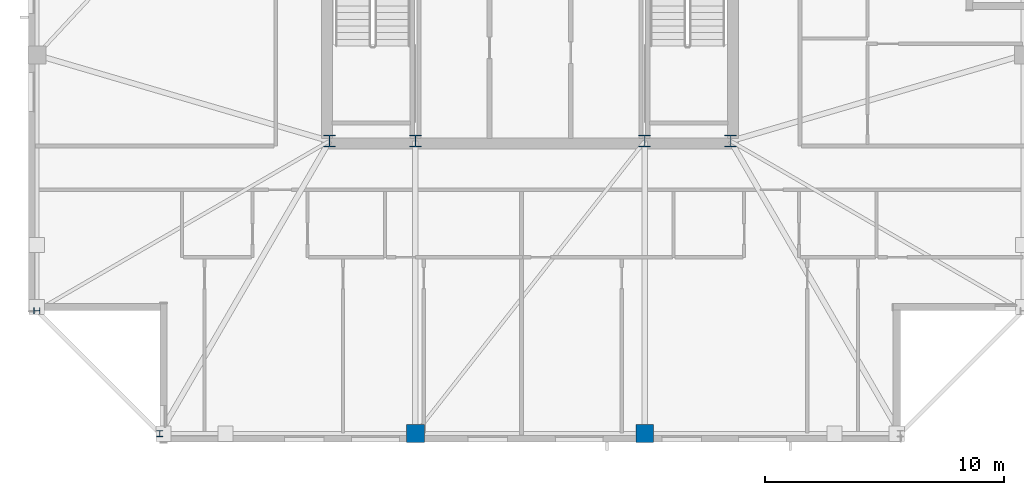
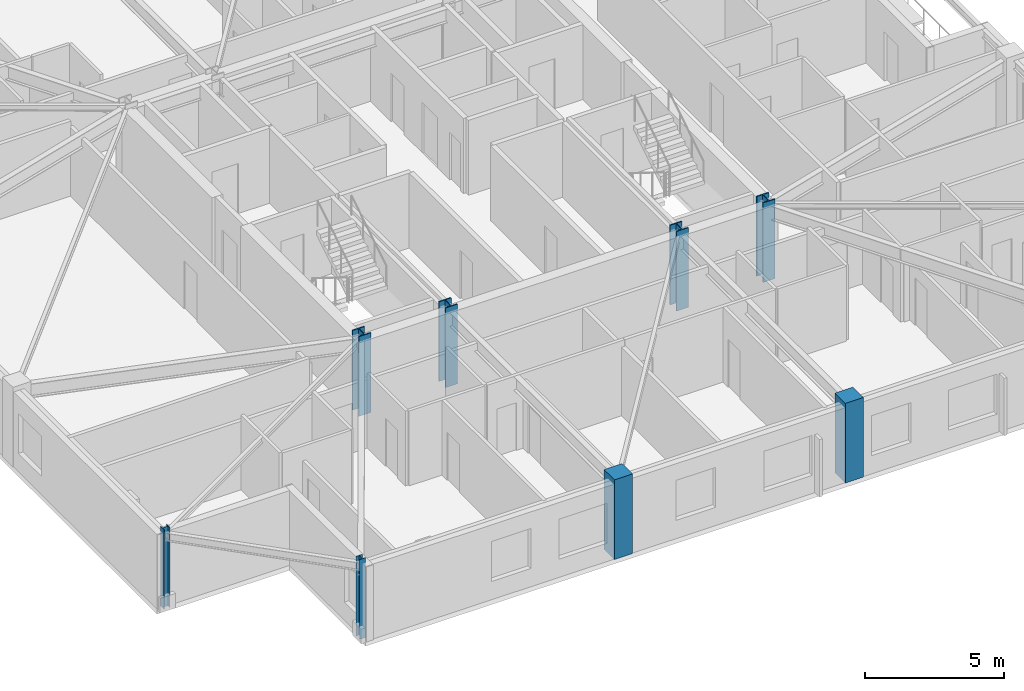
# One storey, part 1 of 14: 8 columns.
"""IFC4 building model written with IfcOpenShell, lengths in metres."""

import ifcopenshell
import ifcopenshell.guid

model = None  # the IFC model being written
_history = None  # IfcOwnerHistory: only IFC2X3 demands one
_inside = {}  # id of a spatial element -> (the spatial element, [elements in it])
_under = {}  # id of a project, library or spatial element -> (it, [spatial elements below it])
_declared = {}  # id of a project -> (the project, [libraries it declares])
_typed = {}  # id of a type object -> (the type object, [elements of that type])
_made_of = {}  # id of a material, layer set ... -> (it, [elements and type objects made of it])


def new_model(schema):
    """Start an empty IFC model of exactly this schema.

    Asked for "IFC4X3", IfcOpenShell would pick the latest addendum, in which some entities
    have other attributes; the version numbers below select the first issue.
    IFC2X3 requires an IfcOwnerHistory on every rooted entity: one is made here for all.
    """
    global model, _history
    if schema == "IFC4X3":
        model = ifcopenshell.file(schema_version=(4, 3, 0, 0))
    else:
        model = ifcopenshell.file(schema=schema)
    _inside.clear()
    _under.clear()
    _declared.clear()
    _typed.clear()
    _made_of.clear()
    _history = None
    if model.schema == "IFC2X3":
        org = make("IfcOrganization", Name="unknown")
        user = make(
            "IfcPersonAndOrganization",
            ThePerson=make("IfcPerson", FamilyName="unknown"),
            TheOrganization=org,
        )
        app = make(
            "IfcApplication",
            ApplicationDeveloper=org,
            Version="unknown",
            ApplicationFullName="unknown",
            ApplicationIdentifier="unknown",
        )
        _history = make(
            "IfcOwnerHistory",
            OwningUser=user,
            OwningApplication=app,
            ChangeAction="ADDED",
            CreationDate=0,
        )
    return model


def make(cls, **values):
    """One entity of the class cls with the attributes given. An attribute that is None is left unset."""
    return model.create_entity(
        cls, **{name: value for name, value in values.items() if value is not None}
    )


def rooted(cls, **values):
    """An entity with a GlobalId (a new one), such as an element, a storey or a relation."""
    return make(cls, GlobalId=ifcopenshell.guid.new(), OwnerHistory=_history, **values)


def si_unit(unit_type, name, prefix=None):
    """IfcSIUnit, for example si_unit("LENGTHUNIT", "METRE", prefix="MILLI")."""
    return make("IfcSIUnit", UnitType=unit_type, Prefix=prefix, Name=name)


def assignment(units):
    """IfcUnitAssignment: the units of a project."""
    return None if units is None else make("IfcUnitAssignment", Units=units)


def point(xyz):
    """IfcCartesianPoint."""
    return None if xyz is None else make("IfcCartesianPoint", Coordinates=xyz)


def direction(xyz):
    """IfcDirection."""
    return None if xyz is None else make("IfcDirection", DirectionRatios=xyz)


def frame(location, z_axis=None, x_axis=None):
    """IfcAxis2Placement3D, a coordinate frame: its origin and axes. An axis left out is left unset."""
    return make(
        "IfcAxis2Placement3D",
        Location=point(location),
        Axis=direction(z_axis),
        RefDirection=direction(x_axis),
    )


def frame_2d(location, x_axis=None):
    """IfcAxis2Placement2D, a coordinate frame in the plane: its origin and x axis."""
    return make(
        "IfcAxis2Placement2D", Location=point(location), RefDirection=direction(x_axis)
    )


def origin():
    """The frame at (0, 0, 0) with its axes left unset."""
    return frame((0.0, 0.0, 0.0))


def origin_2d():
    """The frame at (0, 0) in the plane with its x axis left unset."""
    return frame_2d((0.0, 0.0))


def place(relative_to, where):
    """IfcLocalPlacement: puts the frame where relative to a parent placement (None: the world)."""
    return make(
        "IfcLocalPlacement", PlacementRelTo=relative_to, RelativePlacement=where
    )


def context(
    kind, dimensions, precision=None, world=None, true_north=None, identifier=None
):
    """IfcGeometricRepresentationContext, for example the 3D "Model" context."""
    return make(
        "IfcGeometricRepresentationContext",
        ContextIdentifier=identifier,
        ContextType=kind,
        CoordinateSpaceDimension=dimensions,
        Precision=precision,
        WorldCoordinateSystem=world,
        TrueNorth=true_north,
    )


def subcontext(parent, identifier, kind, view, scale=None):
    """IfcGeometricRepresentationSubContext, for example "Body" below "Model"."""
    return make(
        "IfcGeometricRepresentationSubContext",
        ContextIdentifier=identifier,
        ContextType=kind,
        ParentContext=parent,
        TargetScale=scale,
        TargetView=view,
    )


def project(units=None, contexts=None):
    """IfcProject with its units and contexts."""
    return rooted(
        "IfcProject",
        Name="project",
        RepresentationContexts=contexts,
        UnitsInContext=assignment(units),
    )


def spatial(cls, under=None, at=None, **own):
    """A site, building, storey or space (cls), placed at a placement, below another one or the project."""
    s = rooted(cls, ObjectPlacement=at, **own)
    if under is not None:
        _under.setdefault(under.id(), (under, []))[1].append(s)
    return s


def profile(cls, at=None, kind="AREA", **sizes):
    """A parametric profile (cls). Its sizes go by their IFC names, for example OverallWidth=200.0."""
    return make(cls, ProfileType=kind, Position=at, **sizes)


def rectangle(**sizes):
    """IfcRectangleProfileDef."""
    return profile("IfcRectangleProfileDef", **sizes)


def i_section(**sizes):
    """IfcIShapeProfileDef."""
    return profile("IfcIShapeProfileDef", **sizes)


def extrude(swept, where, along, depth):
    """IfcExtrudedAreaSolid: the profile swept, set in the frame where, extruded along a direction by depth."""
    return make(
        "IfcExtrudedAreaSolid",
        SweptArea=swept,
        Position=where,
        ExtrudedDirection=direction(along),
        Depth=depth,
    )


def shape(context_of_items, identifier, shape_type, items):
    """IfcShapeRepresentation: the items that make up one representation, for example the "Body"."""
    return make(
        "IfcShapeRepresentation",
        ContextOfItems=context_of_items,
        RepresentationIdentifier=identifier,
        RepresentationType=shape_type,
        Items=items,
    )


def material(Name=None, Category=None):
    """IfcMaterial."""
    return make("IfcMaterial", Name=Name, Category=Category)


def material_profile(
    of_material, cross_section, Name=None, Category=None, Priority=None
):
    """IfcMaterialProfile: a cross section and its material."""
    return make(
        "IfcMaterialProfile",
        Name=Name,
        Material=of_material,
        Profile=cross_section,
        Priority=Priority,
        Category=Category,
    )


def profile_set(profiles, Name=None, composite=None):
    """IfcMaterialProfileSet."""
    return make(
        "IfcMaterialProfileSet",
        Name=Name,
        MaterialProfiles=profiles,
        CompositeProfile=composite,
    )


def made_of(thing, what):
    """Note that an element or type object is made of a material, layer set ...; save() writes the relation."""
    if what is not None:
        _made_of.setdefault(what.id(), (what, []))[1].append(thing)
    return thing


def type_object(cls, material=None, **own):
    """A type object (cls), such as IfcWallType, which elements share."""
    return made_of(rooted(cls, **own), material)


def element(
    cls,
    number,
    at=None,
    inside=None,
    cuts=None,
    type_object=None,
    material=None,
    context=None,
    identifier="Body",
    shape_type=None,
    held_by="IfcProductDefinitionShape",
    body=None,
    shapes=None,
    **own,
):
    """One element of the class cls, such as IfcWall. Its Tag is "e" and its number.

    at: its placement. inside: the storey or other place that contains it. cuts: it is an
    opening in that element (IfcRelVoidsElement). A single representation is given by context,
    identifier, shape_type and body (its items); several are given by shapes. held_by: the class
    of the entity that holds the representations. save() writes the other relations.
    """
    e = rooted(cls, Tag="e%d" % number, ObjectPlacement=at, **own)
    if body is not None:
        shapes = [shape(context, identifier, shape_type, body)]
    if shapes is not None:
        e.Representation = make(held_by, Representations=shapes)
    if inside is not None:
        _inside.setdefault(inside.id(), (inside, []))[1].append(e)
    if cuts is not None:
        rooted(
            "IfcRelVoidsElement", RelatingBuildingElement=cuts, RelatedOpeningElement=e
        )
    if type_object is not None:
        _typed.setdefault(type_object.id(), (type_object, []))[1].append(e)
    return made_of(e, material)


def aggregate(whole, parts):
    """IfcRelAggregates: a whole, such as a stair, and the parts it consists of."""
    return rooted("IfcRelAggregates", RelatingObject=whole, RelatedObjects=parts)


def save(model, path):
    """Write the relations noted so far, then the file.

    IfcRelAggregates (storeys below a building ...), IfcRelContainedInSpatialStructure (elements
    in a storey), IfcRelDefinesByType, IfcRelAssociatesMaterial and IfcRelDeclares: one each for
    every whole, place, type object, material and project.
    """
    for whole, parts in _under.values():
        aggregate(whole, parts)
    for where, things in _inside.values():
        rooted(
            "IfcRelContainedInSpatialStructure",
            RelatedElements=things,
            RelatingStructure=where,
        )
    for kind, things in _typed.values():
        rooted("IfcRelDefinesByType", RelatedObjects=things, RelatingType=kind)
    for what, things in _made_of.values():
        rooted("IfcRelAssociatesMaterial", RelatedObjects=things, RelatingMaterial=what)
    for by, libraries in _declared.values():
        rooted("IfcRelDeclares", RelatingContext=by, RelatedDefinitions=libraries)
    model.write(path)


model = new_model("IFC4")

# Units and contexts
model_context = context("Model", 3, precision=1e-05, world=origin(), true_north=direction((0.0, 1.0)))
body_context = subcontext(model_context, "Body", "Model", "MODEL_VIEW")
ifc_project = project(units=[si_unit("LENGTHUNIT", "METRE"), si_unit("AREAUNIT", "SQUARE_METRE"), si_unit("VOLUMEUNIT", "CUBIC_METRE"), si_unit("PLANEANGLEUNIT", "RADIAN"), si_unit("MASSUNIT", "GRAM", prefix="KILO")], contexts=[model_context])

# Site, building, storey
site_placement = place(None, origin())
site = spatial("IfcSite", under=ifc_project, at=site_placement, CompositionType="ELEMENT")
building_placement = place(site_placement, origin())
building = spatial("IfcBuilding", under=site, at=building_placement, Name="Cairnveth Concourse Tower", CompositionType="ELEMENT")
storey_placement = place(building_placement, frame((0.0, 0.0, 308.5)))
storey = spatial("IfcBuildingStorey", under=building, at=storey_placement, Name="L85", CompositionType="ELEMENT", Elevation=308.5)

# Columns
ifc_material_1 = material(Name="Concrete N50 (50 MPa)", Category="concrete")
ifc_material_profile_1 = material_profile(ifc_material_1, rectangle(XDim=0.75, YDim=0.75, at=origin_2d()), Name="RC-COL-750x750")
ifc_profile_set_1 = profile_set([ifc_material_profile_1], Name="Concrete N50 (50 MPa)")
column_type_1 = type_object("IfcColumnType", Name="PERIMETER PIER COLUMN 750X750", PredefinedType="COLUMN", material=ifc_profile_set_1)
for number, where, z_axis, x_axis, name in (
    (1, (47.199951171875, 18.35009765625, 0.0), (0.0, 0.0, 1.0), (1.0, 0.0, 0.0), "Column P-S2 L85"),
    (2, (56.800048828125, 18.35009765625, 0.0), (0.0, 0.0, 1.0), (1.0, 0.0, 0.0), "Column P-S3 L85"),
):
    element("IfcColumn", number, at=place(storey_placement, frame(where, z_axis=z_axis, x_axis=x_axis)), inside=storey, type_object=column_type_1, Name=name, PredefinedType="COLUMN", context=body_context, shape_type="SweptSolid", body=[
        extrude(rectangle(XDim=0.75, YDim=0.75, at=origin_2d()), origin(), (0.0, 0.0, 1.0), 3.5),
    ])
ifc_material_2 = material(Name="Steel Grade 350", Category="steel")
ifc_material_profile_2 = material_profile(ifc_material_2, i_section(OverallWidth=0.25390625, OverallDepth=0.25390625, WebThickness=0.008544921875, FlangeThickness=0.01416015625, FilletRadius=0.012939453125, at=origin_2d()), Name="250UC72.9")
ifc_profile_set_2 = profile_set([ifc_material_profile_2], Name="Steel Grade 350")
column_type_2 = type_object("IfcColumnType", Name="UNIVERSAL STEEL COLUMN 250UC72.9", PredefinedType="COLUMN", material=ifc_profile_set_2)
for number, where, z_axis, x_axis, name in (
    (3, (36.5, 18.35009765625, 0.0), (0.0, 0.0, 1.0), (1.0, 0.0, 0.0), "Column P-S1 L85"),
    (4, (31.35009765625, 23.5, 0.0), (0.0, 0.0, 1.0), (0.0, 1.0, 0.0), "Column P-W4 L85"),
):
    element("IfcColumn", number, at=place(storey_placement, frame(where, z_axis=z_axis, x_axis=x_axis)), inside=storey, type_object=column_type_2, Name=name, PredefinedType="COLUMN", context=body_context, shape_type="SweptSolid", body=[
        extrude(i_section(OverallWidth=0.25390625, OverallDepth=0.25390625, WebThickness=0.008544921875, FlangeThickness=0.01416015625, FilletRadius=0.012939453125, at=origin_2d()), origin(), (0.0, 0.0, 1.0), 3.5),
    ])
ifc_material_profile_3 = material_profile(ifc_material_2, i_section(OverallWidth=0.5, OverallDepth=0.5, WebThickness=0.028076171875, FlangeThickness=0.044921875, at=origin_2d()), Name="500WC383")
ifc_profile_set_3 = profile_set([ifc_material_profile_3], Name="Steel Grade 350")
column_type_3 = type_object("IfcColumnType", Name="WELDED STEEL COLUMN 500WC383", PredefinedType="COLUMN", material=ifc_profile_set_3)
for number, where, z_axis, x_axis, name in (
    (5, (43.60009765625, 30.60009765625, 0.0), (0.0, 0.0, 1.0), (1.0, 0.0, 0.0), "Column CC1 L85"),
    (6, (47.199951171875, 30.60009765625, 0.0), (0.0, 0.0, 1.0), (1.0, 0.0, 0.0), "Column CC2 L85"),
    (7, (56.800048828125, 30.60009765625, 0.0), (0.0, 0.0, 1.0), (1.0, 0.0, 0.0), "Column CC3 L85"),
    (8, (60.39990234375, 30.60009765625, 0.0), (0.0, 0.0, 1.0), (1.0, 0.0, 0.0), "Column CC4 L85"),
):
    element("IfcColumn", number, at=place(storey_placement, frame(where, z_axis=z_axis, x_axis=x_axis)), inside=storey, type_object=column_type_3, Name=name, PredefinedType="COLUMN", context=body_context, shape_type="SweptSolid", body=[
        extrude(i_section(OverallWidth=0.5, OverallDepth=0.5, WebThickness=0.028076171875, FlangeThickness=0.044921875, at=origin_2d()), origin(), (0.0, 0.0, 1.0), 3.5),
    ])

save(model, "model.ifc")
